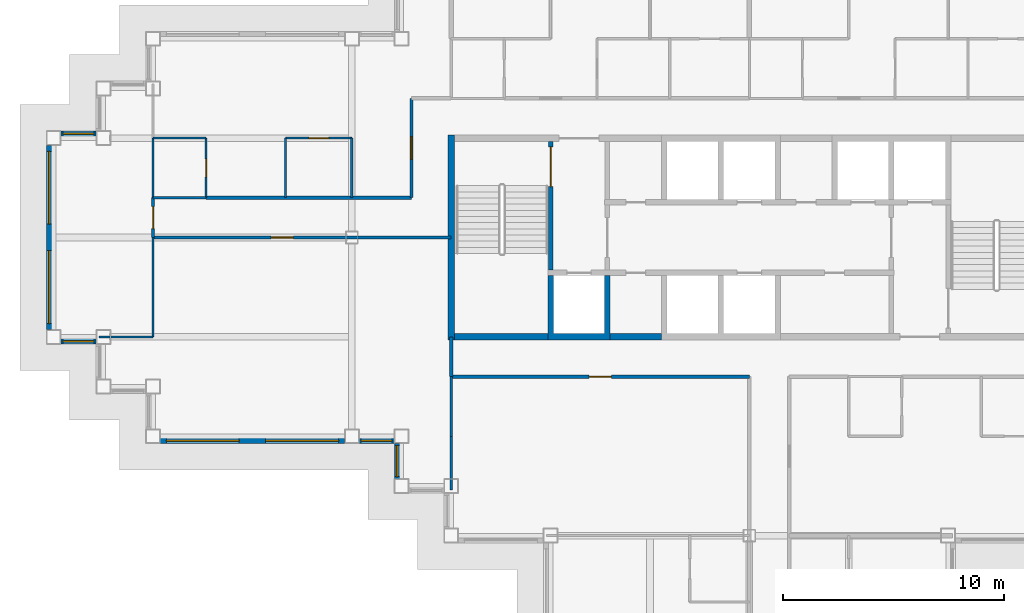
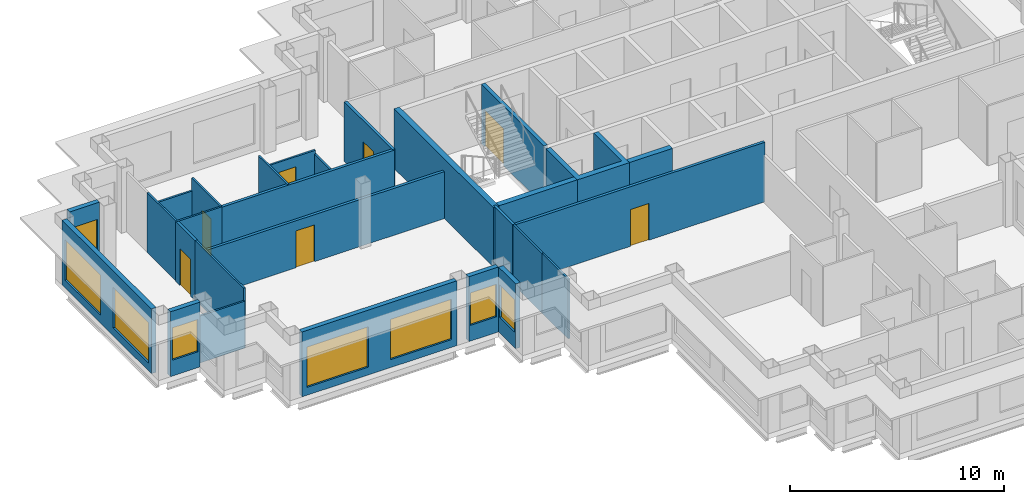
# One storey, part 3 of 12: 28 walls, 8 windows, 7 doors, 15 openings.
"""IFC4 building model written with IfcOpenShell, lengths in metres."""

from ifc_helpers import new_model, si_unit, direction, frame, frame_2d, origin, place, context, subcontext, project, spatial, polyline, rectangle, outline, extrude, material, layer, layer_set, type_object, element, fill, save


model = new_model("IFC4")

# Units and contexts
model_context = context("Model", 3, precision=1e-05, world=origin(), true_north=direction((0.0, 1.0)))
body_context = subcontext(model_context, "Body", "Model", "MODEL_VIEW")
ifc_project = project(units=[si_unit("LENGTHUNIT", "METRE"), si_unit("AREAUNIT", "SQUARE_METRE"), si_unit("VOLUMEUNIT", "CUBIC_METRE"), si_unit("PLANEANGLEUNIT", "RADIAN"), si_unit("MASSUNIT", "GRAM", prefix="KILO")], contexts=[model_context])

# Site, building, storey
site_placement = place(None, origin())
site = spatial("IfcSite", under=ifc_project, at=site_placement, CompositionType="ELEMENT")
building_placement = place(site_placement, origin())
building = spatial("IfcBuilding", under=site, at=building_placement, Name="Caravel Reach Hotel and Residences", CompositionType="ELEMENT")
storey_placement = place(building_placement, frame((0.0, 0.0, 214.60009765625)))
storey = spatial("IfcBuildingStorey", under=building, at=storey_placement, Name="L54", CompositionType="ELEMENT", Elevation=214.60009765625)

# Walls
ifc_material_1 = material(Name="Gypsum board on steel stud", Category="steel")
ifc_layer_1 = layer(ifc_material_1, 0.10009765625)
ifc_layer_set_1 = layer_set([ifc_layer_1], Name="Bathroom pod wall 100 mm")
wall_type_1 = type_object("IfcWallType", Name="Bathroom pod wall 100 mm", PredefinedType="PARTITIONING", material=ifc_layer_set_1)
wall_1_placement = place(storey_placement, frame((4.5, 28.800048828125, 0.0), z_axis=(0.0, 0.0, 1.0), x_axis=(1.0, 0.0, 0.0)))
element("IfcWall", 1, at=wall_1_placement, inside=storey, type_object=wall_type_1, Name="L54 wall w079", PredefinedType="PARTITIONING", context=body_context, shape_type="SweptSolid", body=[
    extrude(rectangle(XDim=2.39990234375, YDim=0.10009765625, at=frame_2d((1.199951171875, 0.0))), origin(), (0.0, 0.0, 1.0), 3.39990234375),
])
wall_2_placement = place(storey_placement, frame((4.5, 31.5, 0.0), z_axis=(0.0, 0.0, 1.0), x_axis=(1.0, 0.0, 0.0)))
element("IfcWall", 2, at=wall_2_placement, inside=storey, type_object=wall_type_1, Name="L54 wall w080", PredefinedType="PARTITIONING", context=body_context, shape_type="SweptSolid", body=[
    extrude(rectangle(XDim=2.39990234375, YDim=0.10009765625, at=frame_2d((1.199951171875, 0.0))), origin(), (0.0, 0.0, 1.0), 2.679931640625),
])
wall_3_placement = place(storey_placement, frame((4.5, 28.800048828125, 0.0), z_axis=(0.0, 0.0, 1.0), x_axis=(0.0, 1.0, 0.0)))
element("IfcWall", 3, at=wall_3_placement, inside=storey, type_object=wall_type_1, Name="L54 wall w102", PredefinedType="PARTITIONING", context=body_context, shape_type="SweptSolid", body=[
    extrude(rectangle(XDim=2.699951171875, YDim=0.10009765625, at=frame_2d((1.35009765625, 0.0))), origin(), (0.0, 0.0, 1.0), 3.39990234375),
])

# Wall, opening, door
wall_4_placement = place(storey_placement, frame((6.89990234375, 28.800048828125, 0.0), z_axis=(0.0, 0.0, 1.0), x_axis=(0.0, 1.0, 0.0)))
wall_4 = element("IfcWall", 4, at=wall_4_placement, inside=storey, type_object=wall_type_1, Name="L54 wall w104", PredefinedType="PARTITIONING", context=body_context, shape_type="SweptSolid", body=[
    extrude(rectangle(XDim=2.699951171875, YDim=0.10009765625, at=frame_2d((1.35009765625, 0.0))), origin(), (0.0, 0.0, 1.0), 3.39990234375),
])
opening_1_placement = place(wall_4_placement, frame((0.949951171875, 0.0, 0.0)))
opening_1 = element("IfcOpeningElement", 5, at=opening_1_placement, cuts=wall_4, Name="Opening D54-029", PredefinedType="OPENING", context=body_context, shape_type="SweptSolid", body=[
    extrude(rectangle(XDim=0.800048828125, YDim=2.10009765625, at=frame_2d((0.39990234375, 1.050048828125))), frame((0.0, 0.06005859375, 0.0), z_axis=(0.0, -1.0, 0.0), x_axis=(1.0, 0.0, 0.0)), (0.0, 0.0, 1.0), 0.1201171875),
])
ifc_material_2 = material(Name="Timber and steel door leaf", Category="steel")
door_type_1 = type_object("IfcDoorType", Name="Bathroom door 800 x 2100", OperationType="SINGLE_SWING_LEFT", PredefinedType="DOOR", material=ifc_material_2)
door_1_placement = place(opening_1_placement, origin())
door_1 = element("IfcDoor", 6, at=door_1_placement, inside=storey, type_object=door_type_1, Name="door D54-029", OperationType="SINGLE_SWING_RIGHT", OverallHeight=2.10009765625, OverallWidth=0.800048828125, PredefinedType="DOOR", context=body_context, shape_type="SweptSolid", body=[
    extrude(rectangle(XDim=0.800048828125, YDim=2.10009765625, at=frame_2d((0.39990234375, 1.050048828125))), frame((0.0, 0.02490234375, 0.0), z_axis=(0.0, -1.0, 0.0), x_axis=(1.0, 0.0, 0.0)), (0.0, 0.0, 1.0), 0.050048828125),
])
fill(opening_1, door_1)

# Walls
ifc_material_3 = material(Name="Concrete C60", Category="concrete")
ifc_layer_2 = layer(ifc_material_3, 0.300048828125)
ifc_layer_set_2 = layer_set([ifc_layer_2], Name="Core wall 300 mm EI 120")
wall_type_2 = type_object("IfcWallType", Name="Core wall 300 mm EI 120", PredefinedType="SHEAR", material=ifc_layer_set_2)
wall_5_placement = place(storey_placement, frame((18.14990234375, 22.5, 0.0), z_axis=(0.0, 0.0, 1.0), x_axis=(1.0, 0.0, 0.0)))
element("IfcWall", 7, at=wall_5_placement, inside=storey, type_object=wall_type_2, Name="L54 core wall S1", PredefinedType="SHEAR", context=body_context, shape_type="SweptSolid", body=[
    extrude(rectangle(XDim=4.22509765625, YDim=0.300048828125, at=frame_2d((2.112548828125, 0.0))), origin(), (0.0, 0.0, 1.0), 3.39990234375),
])
wall_6_placement = place(storey_placement, frame((25.196533203125, 22.5, 0.0), z_axis=(0.0, 0.0, 1.0), x_axis=(1.0, 0.0, 0.0)))
element("IfcWall", 8, at=wall_6_placement, inside=storey, type_object=wall_type_2, Name="L54 core wall S2", PredefinedType="SHEAR", context=body_context, shape_type="SweptSolid", body=[
    extrude(rectangle(XDim=2.3212890625, YDim=0.300048828125, at=frame_2d((1.16064453125, 0.0))), origin(), (0.0, 0.0, 1.0), 3.39990234375),
])
wall_7_placement = place(storey_placement, frame((18.0, 22.35009765625, 0.0), z_axis=(0.0, 0.0, 1.0), x_axis=(0.0, 1.0, 0.0)))
element("IfcWall", 9, at=wall_7_placement, inside=storey, type_object=wall_type_2, Name="L54 core wall W", PredefinedType="SHEAR", context=body_context, shape_type="SweptSolid", body=[
    extrude(rectangle(XDim=9.2998046875, YDim=0.300048828125, at=frame_2d((4.64990234375, 0.0))), origin(), (0.0, 0.0, 1.0), 3.39990234375),
])

# Wall, opening, door
ifc_material_4 = material(Name="Gypsum board on steel stud, fire-rated", Category="steel")
ifc_layer_3 = layer(ifc_material_4, 0.14990234375)
ifc_layer_set_3 = layer_set([ifc_layer_3], Name="Corridor wall 150 mm EI 60")
wall_type_3 = type_object("IfcWallType", Name="Corridor wall 150 mm EI 60", PredefinedType="PARTITIONING", material=ifc_layer_set_3)
wall_8_placement = place(storey_placement, frame((18.0, 20.699951171875, 0.0), z_axis=(0.0, 0.0, 1.0), x_axis=(1.0, 0.0, 0.0)))
wall_8 = element("IfcWall", 10, at=wall_8_placement, inside=storey, type_object=wall_type_3, Name="L54 wall w005", PredefinedType="PARTITIONING", context=body_context, shape_type="SweptSolid", body=[
    extrude(rectangle(XDim=13.5, YDim=0.14990234375, at=frame_2d((6.75, 0.0))), origin(), (0.0, 0.0, 1.0), 3.39990234375),
])
opening_2_placement = place(wall_8_placement, frame((6.25, 0.0, 0.0)))
opening_2 = element("IfcOpeningElement", 11, at=opening_2_placement, cuts=wall_8, Name="Opening D54-032", PredefinedType="OPENING", context=body_context, shape_type="SweptSolid", body=[
    extrude(rectangle(XDim=1.0, YDim=2.10009765625, at=frame_2d((0.5, 1.050048828125))), frame((0.0, 0.0849609375, 0.0), z_axis=(0.0, -1.0, 0.0), x_axis=(1.0, 0.0, 0.0)), (0.0, 0.0, 1.0), 0.169921875),
])
ifc_material_5 = material(Name="Steel fire door leaf", Category="steel")
door_type_2 = type_object("IfcDoorType", Name="Fire door 1000 x 2100 EI 60", OperationType="SINGLE_SWING_LEFT", PredefinedType="DOOR", material=ifc_material_5)
door_2_placement = place(opening_2_placement, origin())
door_2 = element("IfcDoor", 12, at=door_2_placement, inside=storey, type_object=door_type_2, Name="door D54-032", OperationType="SINGLE_SWING_RIGHT", OverallHeight=2.10009765625, OverallWidth=1.0, PredefinedType="DOOR", context=body_context, shape_type="SweptSolid", body=[
    extrude(rectangle(XDim=1.0, YDim=2.10009765625, at=frame_2d((0.5, 1.050048828125))), frame((0.0, 0.02490234375, 0.0), z_axis=(0.0, -1.0, 0.0), x_axis=(1.0, 0.0, 0.0)), (0.0, 0.0, 1.0), 0.050048828125),
])
fill(opening_2, door_2)

wall_9_placement = place(storey_placement, frame((4.5, 27.0, 0.0), z_axis=(0.0, 0.0, 1.0), x_axis=(1.0, 0.0, 0.0)))
wall_9 = element("IfcWall", 13, at=wall_9_placement, inside=storey, type_object=wall_type_3, Name="L54 wall w007", PredefinedType="PARTITIONING", context=body_context, shape_type="SweptSolid", body=[
    extrude(rectangle(XDim=13.5, YDim=0.14990234375, at=frame_2d((6.75, 0.0))), origin(), (0.0, 0.0, 1.0), 2.679931640625),
])
opening_3_placement = place(wall_9_placement, frame((5.35009765625, 0.0, 0.0)))
opening_3 = element("IfcOpeningElement", 14, at=opening_3_placement, cuts=wall_9, Name="Opening D54-031", PredefinedType="OPENING", context=body_context, shape_type="SweptSolid", body=[
    extrude(rectangle(XDim=1.0, YDim=2.10009765625, at=frame_2d((0.5, 1.050048828125))), frame((0.0, 0.0849609375, 0.0), z_axis=(0.0, -1.0, 0.0), x_axis=(1.0, 0.0, 0.0)), (0.0, 0.0, 1.0), 0.169921875),
])
door_3_placement = place(opening_3_placement, origin())
door_3 = element("IfcDoor", 15, at=door_3_placement, inside=storey, type_object=door_type_2, Name="door D54-031", OperationType="SINGLE_SWING_LEFT", OverallHeight=2.10009765625, OverallWidth=1.0, PredefinedType="DOOR", context=body_context, shape_type="SweptSolid", body=[
    extrude(rectangle(XDim=1.0, YDim=2.10009765625, at=frame_2d((0.5, 1.050048828125))), frame((0.0, 0.02490234375, 0.0), z_axis=(0.0, -1.0, 0.0), x_axis=(1.0, 0.0, 0.0)), (0.0, 0.0, 1.0), 0.050048828125),
])
fill(opening_3, door_3)

# Wall
wall_10_placement = place(storey_placement, frame((6.89990234375, 28.800048828125, 0.0), z_axis=(0.0, 0.0, 1.0), x_axis=(1.0, 0.0, 0.0)))
element("IfcWall", 16, at=wall_10_placement, inside=storey, type_object=wall_type_3, Name="L54 wall w008", PredefinedType="PARTITIONING", context=body_context, shape_type="SweptSolid", body=[
    extrude(rectangle(XDim=9.299072265625, YDim=0.14990234375, at=frame_2d((4.6494140625, 0.0))), origin(), (0.0, 0.0, 1.0), 3.39990234375),
])

# Wall, opening, door
wall_11_placement = place(storey_placement, frame((16.199951171875, 28.801025390625, 0.0), z_axis=(0.0, 0.0, 1.0), x_axis=(0.0, 1.0, 0.0)))
wall_11 = element("IfcWall", 17, at=wall_11_placement, inside=storey, type_object=wall_type_3, Name="L54 wall w019", PredefinedType="PARTITIONING", context=body_context, shape_type="SweptSolid", body=[
    extrude(rectangle(XDim=4.4990234375, YDim=0.14990234375, at=frame_2d((2.24951171875, 0.0))), origin(), (0.0, 0.0, 1.0), 3.39990234375),
])
opening_4_placement = place(wall_11_placement, frame((1.74951171875, 0.0, 0.0)))
opening_4 = element("IfcOpeningElement", 18, at=opening_4_placement, cuts=wall_11, Name="Opening D54-028", PredefinedType="OPENING", context=body_context, shape_type="SweptSolid", body=[
    extrude(rectangle(XDim=1.0, YDim=2.199951171875, at=frame_2d((0.5, 1.10009765625))), frame((0.0, 0.0849609375, 0.0), z_axis=(0.0, -1.0, 0.0), x_axis=(1.0, 0.0, 0.0)), (0.0, 0.0, 1.0), 0.169921875),
])
ifc_material_6 = material(Name="Steel fire door leaf", Category="steel")
door_type_3 = type_object("IfcDoorType", Name="Flat entrance door 1000 x 2200 EI 60", OperationType="SINGLE_SWING_LEFT", PredefinedType="DOOR", material=ifc_material_6)
door_4_placement = place(opening_4_placement, origin())
door_4 = element("IfcDoor", 19, at=door_4_placement, inside=storey, type_object=door_type_3, Name="door D54-028", OperationType="SINGLE_SWING_RIGHT", OverallHeight=2.199951171875, OverallWidth=1.0, PredefinedType="DOOR", context=body_context, shape_type="SweptSolid", body=[
    extrude(rectangle(XDim=1.0, YDim=2.199951171875, at=frame_2d((0.5, 1.10009765625))), frame((0.0, 0.02490234375, 0.0), z_axis=(0.0, -1.0, 0.0), x_axis=(1.0, 0.0, 0.0)), (0.0, 0.0, 1.0), 0.050048828125),
])
fill(opening_4, door_4)

# Wall
wall_12_placement = place(storey_placement, frame((18.0, 20.699951171875, 0.0), z_axis=(0.0, 0.0, 1.0), x_axis=(0.0, 1.0, 0.0)))
element("IfcWall", 20, at=wall_12_placement, inside=storey, type_object=wall_type_3, Name="L54 wall w020", PredefinedType="PARTITIONING", context=body_context, shape_type="SweptSolid", body=[
    extrude(rectangle(XDim=1.800048828125, YDim=0.14990234375, at=frame_2d((0.89990234375, 0.0))), origin(), (0.0, 0.0, 1.0), 3.39990234375),
])

# Wall, opening, door
wall_13_placement = place(storey_placement, frame((4.5, 27.0, 0.0), z_axis=(0.0, 0.0, 1.0), x_axis=(0.0, 1.0, 0.0)))
wall_13 = element("IfcWall", 21, at=wall_13_placement, inside=storey, type_object=wall_type_3, Name="L54 wall w027", PredefinedType="PARTITIONING", context=body_context, shape_type="SweptSolid", body=[
    extrude(rectangle(XDim=1.800048828125, YDim=0.14990234375, at=frame_2d((0.89990234375, 0.0))), origin(), (0.0, 0.0, 1.0), 3.39990234375),
])
opening_5_placement = place(wall_13_placement, frame((0.39990234375, 0.0, 0.0)))
opening_5 = element("IfcOpeningElement", 22, at=opening_5_placement, cuts=wall_13, Name="Opening D54-042", PredefinedType="OPENING", context=body_context, shape_type="SweptSolid", body=[
    extrude(rectangle(XDim=1.0, YDim=2.10009765625, at=frame_2d((0.5, 1.050048828125))), frame((0.0, 0.0849609375, 0.0), z_axis=(0.0, -1.0, 0.0), x_axis=(1.0, 0.0, 0.0)), (0.0, 0.0, 1.0), 0.169921875),
])
door_5_placement = place(opening_5_placement, origin())
door_5 = element("IfcDoor", 23, at=door_5_placement, inside=storey, type_object=door_type_2, Name="door D54-042", OperationType="SINGLE_SWING_LEFT", OverallHeight=2.10009765625, OverallWidth=1.0, PredefinedType="DOOR", context=body_context, shape_type="SweptSolid", body=[
    extrude(rectangle(XDim=1.0, YDim=2.10009765625, at=frame_2d((0.5, 1.050048828125))), frame((0.0, 0.02490234375, 0.0), z_axis=(0.0, -1.0, 0.0), x_axis=(1.0, 0.0, 0.0)), (0.0, 0.0, 1.0), 0.050048828125),
])
fill(opening_5, door_5)

# Wall, opening, window
ifc_material_7 = material(Name="Insulated rainscreen wall, aluminium cladding", Category="aluminium")
ifc_layer_4 = layer(ifc_material_7, 0.25)
ifc_layer_set_4 = layer_set([ifc_layer_4], Name="EW1 Tower rainscreen wall")
wall_type_4 = type_object("IfcWallType", Name="EW1 Tower rainscreen wall", PredefinedType="SOLIDWALL", material=ifc_layer_set_4)
wall_14_placement = place(storey_placement, frame((1.925048828125, 31.699951171875, 0.0), z_axis=(0.0, 0.0, 1.0), x_axis=(-1.0, 0.0, 0.0)))
wall_14 = element("IfcWall", 24, at=wall_14_placement, inside=storey, type_object=wall_type_4, Name="External wall L54 N19.1", PredefinedType="SOLIDWALL", context=body_context, shape_type="SweptSolid", body=[
    extrude(rectangle(XDim=1.60009765625, YDim=0.25, at=frame_2d((0.800048828125, 0.0))), origin(), (0.0, 0.0, 1.0), 3.699951171875),
])
opening_6_placement = place(wall_14_placement, frame((0.10009765625, 0.0, 0.89990234375)))
opening_6 = element("IfcOpeningElement", 25, at=opening_6_placement, cuts=wall_14, Name="Opening WN22", PredefinedType="OPENING", context=body_context, shape_type="SweptSolid", body=[
    extrude(rectangle(XDim=1.39990234375, YDim=1.85009765625, at=frame_2d((0.699951171875, 0.925048828125))), frame((0.0, 0.135009765625, 0.0), z_axis=(0.0, -1.0, 0.0), x_axis=(1.0, 0.0, 0.0)), (0.0, 0.0, 1.0), 0.27001953125),
])
ifc_material_8 = material(Name="Dark low-e glazing in black aluminium frame", Category="aluminium")
window_type_1 = type_object("IfcWindowType", Name="Residence bedroom window 1400 x 1850", PartitioningType="SINGLE_PANEL", PredefinedType="WINDOW", material=ifc_material_8)
window_1_placement = place(opening_6_placement, origin())
window_1 = element("IfcWindow", 26, at=window_1_placement, inside=storey, type_object=window_type_1, Name="Window L54 N19.1.1", OverallHeight=1.85009765625, OverallWidth=1.39990234375, PartitioningType="SINGLE_PANEL", PredefinedType="WINDOW", context=body_context, shape_type="SweptSolid", body=[
    extrude(rectangle(XDim=1.39990234375, YDim=1.85009765625, at=frame_2d((0.699951171875, 0.925048828125))), frame((0.0, 0.030029296875, 0.0), z_axis=(0.0, -1.0, 0.0), x_axis=(1.0, 0.0, 0.0)), (0.0, 0.0, 1.0), 0.06005859375),
])
fill(opening_6, window_1)

# Wall, openings, windows
wall_15_placement = place(storey_placement, frame((-0.199951171875, 31.175048828125, 0.0), z_axis=(0.0, 0.0, 1.0), x_axis=(0.0, -1.0, 0.0)))
wall_15 = element("IfcWall", 27, at=wall_15_placement, inside=storey, type_object=wall_type_4, Name="External wall L54 W20.1", PredefinedType="SOLIDWALL", context=body_context, shape_type="SweptSolid", body=[
    extrude(rectangle(XDim=8.35009765625, YDim=0.25, at=frame_2d((4.175048828125, 0.0))), origin(), (0.0, 0.0, 1.0), 3.699951171875),
])
opening_7_placement = place(wall_15_placement, frame((0.27490234375, 0.0, 0.449951171875)))
opening_7 = element("IfcOpeningElement", 28, at=opening_7_placement, cuts=wall_15, Name="Opening WN15", PredefinedType="OPENING", context=body_context, shape_type="SweptSolid", body=[
    extrude(rectangle(XDim=3.300048828125, YDim=2.300048828125, at=frame_2d((1.64990234375, 1.14990234375))), frame((0.0, 0.135009765625, 0.0), z_axis=(0.0, -1.0, 0.0), x_axis=(1.0, 0.0, 0.0)), (0.0, 0.0, 1.0), 0.27001953125),
])
opening_8_placement = place(wall_15_placement, frame((4.77490234375, 0.0, 0.449951171875)))
opening_8 = element("IfcOpeningElement", 29, at=opening_8_placement, cuts=wall_15, Name="Opening WN15", PredefinedType="OPENING", context=body_context, shape_type="SweptSolid", body=[
    extrude(rectangle(XDim=3.300048828125, YDim=2.300048828125, at=frame_2d((1.64990234375, 1.14990234375))), frame((0.0, 0.135009765625, 0.0), z_axis=(0.0, -1.0, 0.0), x_axis=(1.0, 0.0, 0.0)), (0.0, 0.0, 1.0), 0.27001953125),
])
ifc_material_9 = material(Name="Dark low-e glazing in black aluminium frame", Category="aluminium")
window_type_2 = type_object("IfcWindowType", Name="Residence living window 3300 x 2300", PartitioningType="SINGLE_PANEL", PredefinedType="WINDOW", material=ifc_material_9)
window_2_placement = place(opening_7_placement, origin())
window_2 = element("IfcWindow", 30, at=window_2_placement, inside=storey, type_object=window_type_2, Name="Window L54 W20.1.1", OverallHeight=2.300048828125, OverallWidth=3.300048828125, PartitioningType="SINGLE_PANEL", PredefinedType="WINDOW", context=body_context, shape_type="SweptSolid", body=[
    extrude(rectangle(XDim=3.300048828125, YDim=2.300048828125, at=frame_2d((1.64990234375, 1.14990234375))), frame((0.0, 0.030029296875, 0.0), z_axis=(0.0, -1.0, 0.0), x_axis=(1.0, 0.0, 0.0)), (0.0, 0.0, 1.0), 0.06005859375),
])
fill(opening_7, window_2)
window_3_placement = place(opening_8_placement, origin())
window_3 = element("IfcWindow", 31, at=window_3_placement, inside=storey, type_object=window_type_2, Name="Window L54 W20.1.2", OverallHeight=2.300048828125, OverallWidth=3.300048828125, PartitioningType="SINGLE_PANEL", PredefinedType="WINDOW", context=body_context, shape_type="SweptSolid", body=[
    extrude(rectangle(XDim=3.300048828125, YDim=2.300048828125, at=frame_2d((1.64990234375, 1.14990234375))), frame((0.0, 0.030029296875, 0.0), z_axis=(0.0, -1.0, 0.0), x_axis=(1.0, 0.0, 0.0)), (0.0, 0.0, 1.0), 0.06005859375),
])
fill(opening_8, window_3)

# Wall, opening, window
wall_16_placement = place(storey_placement, frame((0.324951171875, 22.300048828125, 0.0), z_axis=(0.0, 0.0, 1.0), x_axis=(1.0, 0.0, 0.0)))
wall_16 = element("IfcWall", 32, at=wall_16_placement, inside=storey, type_object=wall_type_4, Name="External wall L54 S21.1", PredefinedType="SOLIDWALL", context=body_context, shape_type="SweptSolid", body=[
    extrude(rectangle(XDim=1.60009765625, YDim=0.25, at=frame_2d((0.800048828125, 0.0))), origin(), (0.0, 0.0, 1.0), 3.699951171875),
])
opening_9_placement = place(wall_16_placement, frame((0.10009765625, 0.0, 0.89990234375)))
opening_9 = element("IfcOpeningElement", 33, at=opening_9_placement, cuts=wall_16, Name="Opening WN22", PredefinedType="OPENING", context=body_context, shape_type="SweptSolid", body=[
    extrude(rectangle(XDim=1.39990234375, YDim=1.85009765625, at=frame_2d((0.699951171875, 0.925048828125))), frame((0.0, 0.135009765625, 0.0), z_axis=(0.0, -1.0, 0.0), x_axis=(1.0, 0.0, 0.0)), (0.0, 0.0, 1.0), 0.27001953125),
])
window_4_placement = place(opening_9_placement, origin())
window_4 = element("IfcWindow", 34, at=window_4_placement, inside=storey, type_object=window_type_1, Name="Window L54 S21.1.1", OverallHeight=1.85009765625, OverallWidth=1.39990234375, PartitioningType="SINGLE_PANEL", PredefinedType="WINDOW", context=body_context, shape_type="SweptSolid", body=[
    extrude(rectangle(XDim=1.39990234375, YDim=1.85009765625, at=frame_2d((0.699951171875, 0.925048828125))), frame((0.0, 0.030029296875, 0.0), z_axis=(0.0, -1.0, 0.0), x_axis=(1.0, 0.0, 0.0)), (0.0, 0.0, 1.0), 0.06005859375),
])
fill(opening_9, window_4)

# Wall, openings, windows
wall_17_placement = place(storey_placement, frame((4.824951171875, 17.800048828125, 0.0), z_axis=(0.0, 0.0, 1.0), x_axis=(1.0, 0.0, 0.0)))
wall_17 = element("IfcWall", 35, at=wall_17_placement, inside=storey, type_object=wall_type_4, Name="External wall L54 S25.1", PredefinedType="SOLIDWALL", context=body_context, shape_type="SweptSolid", body=[
    extrude(rectangle(XDim=8.35009765625, YDim=0.25, at=frame_2d((4.175048828125, 0.0))), origin(), (0.0, 0.0, 1.0), 3.699951171875),
])
opening_10_placement = place(wall_17_placement, frame((0.27490234375, 0.0, 0.449951171875)))
opening_10 = element("IfcOpeningElement", 36, at=opening_10_placement, cuts=wall_17, Name="Opening WN15", PredefinedType="OPENING", context=body_context, shape_type="SweptSolid", body=[
    extrude(rectangle(XDim=3.300048828125, YDim=2.300048828125, at=frame_2d((1.64990234375, 1.14990234375))), frame((0.0, 0.135009765625, 0.0), z_axis=(0.0, -1.0, 0.0), x_axis=(1.0, 0.0, 0.0)), (0.0, 0.0, 1.0), 0.27001953125),
])
opening_11_placement = place(wall_17_placement, frame((4.77490234375, 0.0, 0.449951171875)))
opening_11 = element("IfcOpeningElement", 37, at=opening_11_placement, cuts=wall_17, Name="Opening WN15", PredefinedType="OPENING", context=body_context, shape_type="SweptSolid", body=[
    extrude(rectangle(XDim=3.300048828125, YDim=2.300048828125, at=frame_2d((1.64990234375, 1.14990234375))), frame((0.0, 0.135009765625, 0.0), z_axis=(0.0, -1.0, 0.0), x_axis=(1.0, 0.0, 0.0)), (0.0, 0.0, 1.0), 0.27001953125),
])
window_5_placement = place(opening_10_placement, origin())
window_5 = element("IfcWindow", 38, at=window_5_placement, inside=storey, type_object=window_type_2, Name="Window L54 S25.1.1", OverallHeight=2.300048828125, OverallWidth=3.300048828125, PartitioningType="SINGLE_PANEL", PredefinedType="WINDOW", context=body_context, shape_type="SweptSolid", body=[
    extrude(rectangle(XDim=3.300048828125, YDim=2.300048828125, at=frame_2d((1.64990234375, 1.14990234375))), frame((0.0, 0.030029296875, 0.0), z_axis=(0.0, -1.0, 0.0), x_axis=(1.0, 0.0, 0.0)), (0.0, 0.0, 1.0), 0.06005859375),
])
fill(opening_10, window_5)
window_6_placement = place(opening_11_placement, origin())
window_6 = element("IfcWindow", 39, at=window_6_placement, inside=storey, type_object=window_type_2, Name="Window L54 S25.1.2", OverallHeight=2.300048828125, OverallWidth=3.300048828125, PartitioningType="SINGLE_PANEL", PredefinedType="WINDOW", context=body_context, shape_type="SweptSolid", body=[
    extrude(rectangle(XDim=3.300048828125, YDim=2.300048828125, at=frame_2d((1.64990234375, 1.14990234375))), frame((0.0, 0.030029296875, 0.0), z_axis=(0.0, -1.0, 0.0), x_axis=(1.0, 0.0, 0.0)), (0.0, 0.0, 1.0), 0.06005859375),
])
fill(opening_11, window_6)

# Wall, opening, window
wall_18_placement = place(storey_placement, frame((13.824951171875, 17.800048828125, 0.0), z_axis=(0.0, 0.0, 1.0), x_axis=(1.0, 0.0, 0.0)))
wall_18 = element("IfcWall", 40, at=wall_18_placement, inside=storey, type_object=wall_type_4, Name="External wall L54 S25.2", PredefinedType="SOLIDWALL", context=body_context, shape_type="SweptSolid", body=[
    extrude(rectangle(XDim=1.60009765625, YDim=0.25, at=frame_2d((0.800048828125, 0.0))), origin(), (0.0, 0.0, 1.0), 3.699951171875),
])
opening_12_placement = place(wall_18_placement, frame((0.10009765625, 0.0, 0.89990234375)))
opening_12 = element("IfcOpeningElement", 41, at=opening_12_placement, cuts=wall_18, Name="Opening WN22", PredefinedType="OPENING", context=body_context, shape_type="SweptSolid", body=[
    extrude(rectangle(XDim=1.39990234375, YDim=1.85009765625, at=frame_2d((0.699951171875, 0.925048828125))), frame((0.0, 0.135009765625, 0.0), z_axis=(0.0, -1.0, 0.0), x_axis=(1.0, 0.0, 0.0)), (0.0, 0.0, 1.0), 0.27001953125),
])
window_7_placement = place(opening_12_placement, origin())
window_7 = element("IfcWindow", 42, at=window_7_placement, inside=storey, type_object=window_type_1, Name="Window L54 S25.2.1", OverallHeight=1.85009765625, OverallWidth=1.39990234375, PartitioningType="SINGLE_PANEL", PredefinedType="WINDOW", context=body_context, shape_type="SweptSolid", body=[
    extrude(rectangle(XDim=1.39990234375, YDim=1.85009765625, at=frame_2d((0.699951171875, 0.925048828125))), frame((0.0, 0.030029296875, 0.0), z_axis=(0.0, -1.0, 0.0), x_axis=(1.0, 0.0, 0.0)), (0.0, 0.0, 1.0), 0.06005859375),
])
fill(opening_12, window_7)

wall_19_placement = place(storey_placement, frame((15.550048828125, 17.675048828125, 0.0), z_axis=(0.0, 0.0, 1.0), x_axis=(0.0, -1.0, 0.0)))
wall_19 = element("IfcWall", 43, at=wall_19_placement, inside=storey, type_object=wall_type_4, Name="External wall L54 W26.1", PredefinedType="SOLIDWALL", context=body_context, shape_type="SweptSolid", body=[
    extrude(rectangle(XDim=1.60009765625, YDim=0.25, at=frame_2d((0.800048828125, 0.0))), origin(), (0.0, 0.0, 1.0), 3.699951171875),
])
opening_13_placement = place(wall_19_placement, frame((0.10009765625, 0.0, 0.89990234375)))
opening_13 = element("IfcOpeningElement", 44, at=opening_13_placement, cuts=wall_19, Name="Opening WN22", PredefinedType="OPENING", context=body_context, shape_type="SweptSolid", body=[
    extrude(rectangle(XDim=1.39990234375, YDim=1.85009765625, at=frame_2d((0.699951171875, 0.925048828125))), frame((0.0, 0.135009765625, 0.0), z_axis=(0.0, -1.0, 0.0), x_axis=(1.0, 0.0, 0.0)), (0.0, 0.0, 1.0), 0.27001953125),
])
window_8_placement = place(opening_13_placement, origin())
window_8 = element("IfcWindow", 45, at=window_8_placement, inside=storey, type_object=window_type_1, Name="Window L54 W26.1.1", OverallHeight=1.85009765625, OverallWidth=1.39990234375, PartitioningType="SINGLE_PANEL", PredefinedType="WINDOW", context=body_context, shape_type="SweptSolid", body=[
    extrude(rectangle(XDim=1.39990234375, YDim=1.85009765625, at=frame_2d((0.699951171875, 0.925048828125))), frame((0.0, 0.030029296875, 0.0), z_axis=(0.0, -1.0, 0.0), x_axis=(1.0, 0.0, 0.0)), (0.0, 0.0, 1.0), 0.06005859375),
])
fill(opening_13, window_8)

# Wall
ifc_material_10 = material(Name="Gypsum board on steel stud", Category="steel")
ifc_layer_5 = layer(ifc_material_10, 0.10009765625)
ifc_layer_set_5 = layer_set([ifc_layer_5], Name="Partition 100 mm")
wall_type_5 = type_object("IfcWallType", Name="Partition 100 mm", PredefinedType="PARTITIONING", material=ifc_layer_set_5)
wall_20_placement = place(storey_placement, frame((2.06005859375, 22.5, 0.0), z_axis=(0.0, 0.0, 1.0), x_axis=(1.0, 0.0, 0.0)))
element("IfcWall", 46, at=wall_20_placement, inside=storey, type_object=wall_type_5, Name="L54 wall w035", PredefinedType="PARTITIONING", context=body_context, shape_type="SweptSolid", body=[
    extrude(rectangle(XDim=2.43896484375, YDim=0.10009765625, at=frame_2d((1.219482421875, 0.0))), origin(), (0.0, 0.0, 1.0), 2.679931640625),
])

# Wall, opening, door
wall_21_placement = place(storey_placement, frame((10.5, 31.5, 0.0), z_axis=(0.0, 0.0, 1.0), x_axis=(1.0, 0.0, 0.0)))
wall_21 = element("IfcWall", 47, at=wall_21_placement, inside=storey, type_object=wall_type_5, Name="L54 wall w036", PredefinedType="PARTITIONING", context=body_context, shape_type="SweptSolid", body=[
    extrude(rectangle(XDim=3.0, YDim=0.10009765625, at=frame_2d((1.5, 0.0))), origin(), (0.0, 0.0, 1.0), 2.679931640625),
])
opening_14_placement = place(wall_21_placement, frame((1.050048828125, 0.0, 0.0)))
opening_14 = element("IfcOpeningElement", 48, at=opening_14_placement, cuts=wall_21, Name="Opening D54-030", PredefinedType="OPENING", context=body_context, shape_type="SweptSolid", body=[
    extrude(rectangle(XDim=0.89990234375, YDim=2.10009765625, at=frame_2d((0.449951171875, 1.050048828125))), frame((0.0, 0.06005859375, 0.0), z_axis=(0.0, -1.0, 0.0), x_axis=(1.0, 0.0, 0.0)), (0.0, 0.0, 1.0), 0.1201171875),
])
ifc_material_11 = material(Name="Timber and steel door leaf", Category="steel")
door_type_4 = type_object("IfcDoorType", Name="Door 900 x 2100 timber", OperationType="SINGLE_SWING_LEFT", PredefinedType="DOOR", material=ifc_material_11)
door_6_placement = place(opening_14_placement, origin())
door_6 = element("IfcDoor", 49, at=door_6_placement, inside=storey, type_object=door_type_4, Name="door D54-030", OperationType="SINGLE_SWING_RIGHT", OverallHeight=2.10009765625, OverallWidth=0.89990234375, PredefinedType="DOOR", context=body_context, shape_type="SweptSolid", body=[
    extrude(rectangle(XDim=0.89990234375, YDim=2.10009765625, at=frame_2d((0.449951171875, 1.050048828125))), frame((0.0, 0.02490234375, 0.0), z_axis=(0.0, -1.0, 0.0), x_axis=(1.0, 0.0, 0.0)), (0.0, 0.0, 1.0), 0.050048828125),
])
fill(opening_14, door_6)

# Walls
wall_22_placement = place(storey_placement, frame((10.5, 28.800048828125, 0.0), z_axis=(0.0, 0.0, 1.0), x_axis=(0.0, 1.0, 0.0)))
element("IfcWall", 50, at=wall_22_placement, inside=storey, type_object=wall_type_5, Name="L54 wall w047", PredefinedType="PARTITIONING", context=body_context, shape_type="SweptSolid", body=[
    extrude(rectangle(XDim=2.699951171875, YDim=0.10009765625, at=frame_2d((1.35009765625, 0.0))), origin(), (0.0, 0.0, 1.0), 3.39990234375),
])
wall_23_placement = place(storey_placement, frame((13.5, 28.801025390625, 0.0), z_axis=(0.0, 0.0, 1.0), x_axis=(0.0, 1.0, 0.0)))
element("IfcWall", 51, at=wall_23_placement, inside=storey, type_object=wall_type_5, Name="L54 wall w048", PredefinedType="PARTITIONING", context=body_context, shape_type="SweptSolid", body=[
    extrude(rectangle(XDim=2.698974609375, YDim=0.10009765625, at=frame_2d((1.349609375, 0.0))), origin(), (0.0, 0.0, 1.0), 2.47998046875),
])
wall_24_placement = place(storey_placement, frame((18.0, 15.56005859375, 0.0), z_axis=(0.0, 0.0, 1.0), x_axis=(0.0, 1.0, 0.0)))
element("IfcWall", 52, at=wall_24_placement, inside=storey, type_object=wall_type_5, Name="L54 wall w049", PredefinedType="PARTITIONING", context=body_context, shape_type="SweptSolid", body=[
    extrude(rectangle(XDim=2.43896484375, YDim=0.10009765625, at=frame_2d((1.219482421875, 0.0))), origin(), (0.0, 0.0, 1.0), 3.39990234375),
])
wall_25_placement = place(storey_placement, frame((18.0, 18.0, 0.0), z_axis=(0.0, 0.0, 1.0), x_axis=(0.0, 1.0, 0.0)))
element("IfcWall", 53, at=wall_25_placement, inside=storey, type_object=wall_type_5, Name="L54 wall w050", PredefinedType="PARTITIONING", context=body_context, shape_type="SweptSolid", body=[
    extrude(rectangle(XDim=2.699951171875, YDim=0.10009765625, at=frame_2d((1.35009765625, 0.0))), origin(), (0.0, 0.0, 1.0), 3.39990234375),
])
wall_26_placement = place(storey_placement, frame((4.5, 22.5, 0.0), z_axis=(0.0, 0.0, 1.0), x_axis=(0.0, 1.0, 0.0)))
element("IfcWall", 54, at=wall_26_placement, inside=storey, type_object=wall_type_5, Name="L54 wall w062", PredefinedType="PARTITIONING", context=body_context, shape_type="SweptSolid", body=[
    extrude(rectangle(XDim=4.5, YDim=0.10009765625, at=frame_2d((2.25, 0.0))), origin(), (0.0, 0.0, 1.0), 3.39990234375),
])
ifc_material_12 = material(Name="Concrete C60", Category="concrete")
ifc_layer_6 = layer(ifc_material_12, 0.25)
ifc_layer_set_6 = layer_set([ifc_layer_6], Name="Shaft wall 250 mm EI 120")
wall_type_6 = type_object("IfcWallType", Name="Shaft wall 250 mm EI 120", PredefinedType="SHEAR", material=ifc_layer_set_6)
wall_27_placement = place(storey_placement, origin())
element("IfcWall", 55, at=wall_27_placement, inside=storey, type_object=wall_type_6, Name="L54 lift shaft wall S1", PredefinedType="SHEAR", context=body_context, shape_type="SweptSolid", body=[
    extrude(outline(polyline([(22.375, 22.35009765625), (25.196533203125, 22.35009765625), (25.196533203125, 25.27490234375), (24.946533203125, 25.27490234375), (24.946533203125, 22.64990234375), (22.625, 22.64990234375), (22.625, 25.27490234375), (22.375, 25.27490234375), (22.375, 22.35009765625)])), origin(), (0.0, 0.0, 1.0), 3.39990234375),
])

# Wall, opening, door
ifc_material_13 = material(Name="Concrete C60", Category="concrete")
ifc_layer_7 = layer(ifc_material_13, 0.199951171875)
ifc_layer_set_7 = layer_set([ifc_layer_7], Name="Stair enclosure wall 200 mm EI 120")
wall_type_7 = type_object("IfcWallType", Name="Stair enclosure wall 200 mm EI 120", PredefinedType="SHEAR", material=ifc_layer_set_7)
wall_28_placement = place(storey_placement, frame((22.5, 31.35009765625, 0.0), z_axis=(0.0, 0.0, 1.0), x_axis=(0.0, -1.0, 0.0)))
wall_28 = element("IfcWall", 56, at=wall_28_placement, inside=storey, type_object=wall_type_7, Name="L54 stair A wall", PredefinedType="SHEAR", context=body_context, shape_type="SweptSolid", body=[
    extrude(rectangle(XDim=5.8251953125, YDim=0.199951171875, at=frame_2d((2.91259765625, 0.0))), origin(), (0.0, 0.0, 1.0), 3.39990234375),
])
opening_15_placement = place(wall_28_placement, frame((0.25, 0.0, 0.0)))
opening_15 = element("IfcOpeningElement", 57, at=opening_15_placement, cuts=wall_28, Name="Opening D54-010", PredefinedType="OPENING", context=body_context, shape_type="SweptSolid", body=[
    extrude(rectangle(XDim=1.800048828125, YDim=2.10009765625, at=frame_2d((0.89990234375, 1.050048828125))), frame((0.0, 0.10986328125, 0.0), z_axis=(0.0, -1.0, 0.0), x_axis=(1.0, 0.0, 0.0)), (0.0, 0.0, 1.0), 0.219970703125),
])
ifc_material_14 = material(Name="Steel fire door leaf", Category="steel")
door_type_5 = type_object("IfcDoorType", Name="Stair door pair 1800 x 2100 EI 90", OperationType="DOUBLE_DOOR_SINGLE_SWING", PredefinedType="DOOR", material=ifc_material_14)
door_7_placement = place(opening_15_placement, origin())
door_7 = element("IfcDoor", 58, at=door_7_placement, inside=storey, type_object=door_type_5, Name="stair A door pair", OperationType="DOUBLE_DOOR_SINGLE_SWING", OverallHeight=2.10009765625, OverallWidth=1.800048828125, PredefinedType="DOOR", context=body_context, shape_type="SweptSolid", body=[
    extrude(rectangle(XDim=1.800048828125, YDim=2.10009765625, at=frame_2d((0.89990234375, 1.050048828125))), frame((0.0, 0.02490234375, 0.0), z_axis=(0.0, -1.0, 0.0), x_axis=(1.0, 0.0, 0.0)), (0.0, 0.0, 1.0), 0.050048828125),
])
fill(opening_15, door_7)

save(model, "model.ifc")
